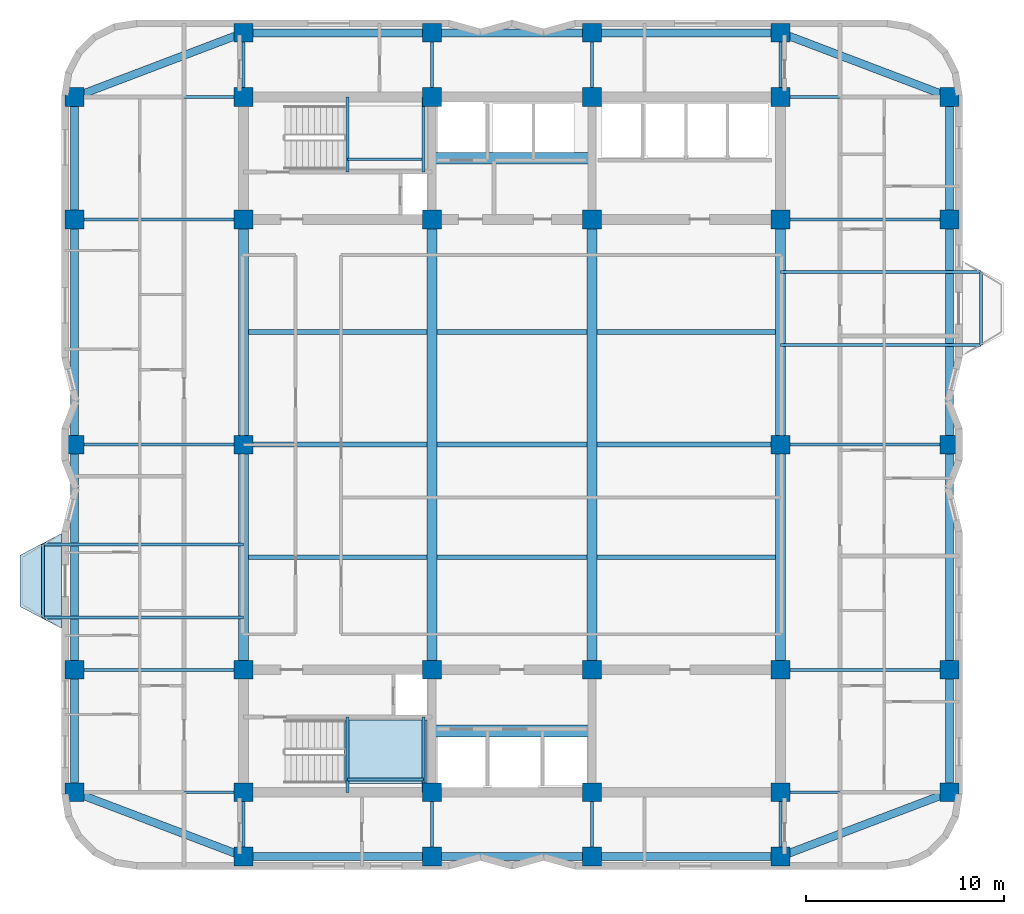
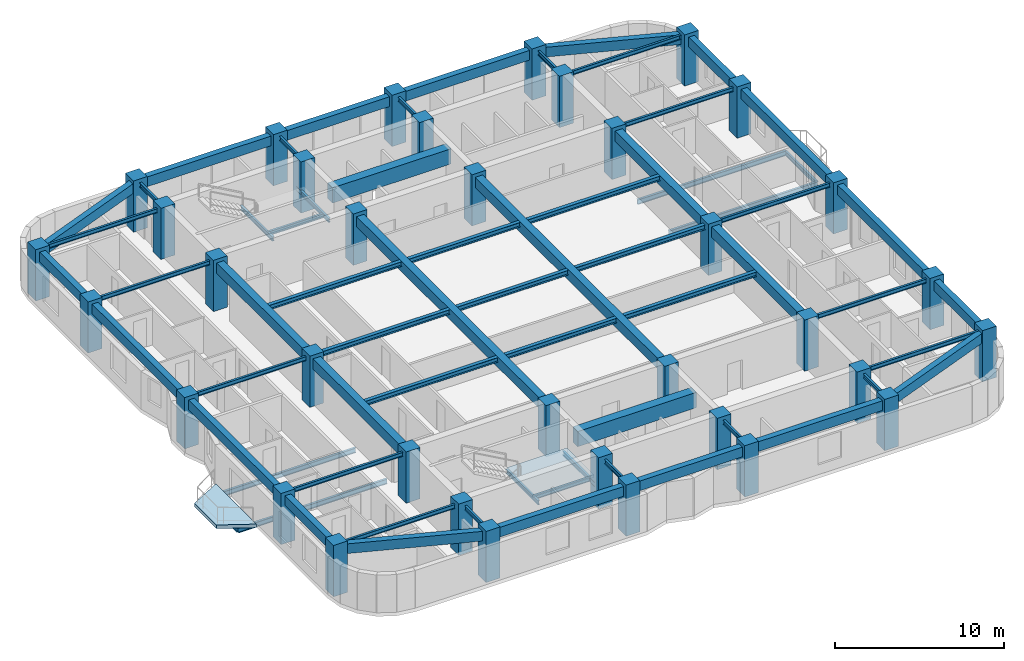
# One storey, part 1 of 8: 65 beams, 36 columns, 2 slabs, 1 element without a shape of its own.
"""IFC4 building model written with IfcOpenShell, lengths in metres."""

from ifc_helpers import new_model, si_unit, direction, frame, origin, origin_2d, place, context, subcontext, project, spatial, polyline, rectangle, i_section, outline, extrude, material, layer, layer_set, material_profile, profile_set, type_object, element, aggregate, save


model = new_model("IFC4")

# Units and contexts
model_context = context("Model", 3, precision=1e-05, world=origin(), true_north=direction((0.0, 1.0)))
body_context = subcontext(model_context, "Body", "Model", "MODEL_VIEW")
ifc_project = project(units=[si_unit("LENGTHUNIT", "METRE"), si_unit("AREAUNIT", "SQUARE_METRE"), si_unit("VOLUMEUNIT", "CUBIC_METRE"), si_unit("PLANEANGLEUNIT", "RADIAN"), si_unit("MASSUNIT", "GRAM", prefix="KILO")], contexts=[model_context])

# Site, building, storey
site_placement = place(None, origin())
site = spatial("IfcSite", under=ifc_project, at=site_placement, CompositionType="ELEMENT")
building_placement = place(site_placement, origin())
building = spatial("IfcBuilding", under=site, at=building_placement, Name="Svetorya Sky Lyceum", CompositionType="ELEMENT")
storey_placement = place(building_placement, frame((0.0, 0.0, 147.800048828125)))
storey = spatial("IfcBuildingStorey", under=building, at=storey_placement, Name="L36", CompositionType="ELEMENT", Elevation=147.800048828125)

# Columns
ifc_material_1 = material(Name="Concrete C50/60", Category="concrete")
ifc_material_profile_1 = material_profile(ifc_material_1, rectangle(XDim=0.949951171875, YDim=0.949951171875, at=origin_2d()), Name="RC COL 950x950")
ifc_profile_set_1 = profile_set([ifc_material_profile_1], Name="Concrete C50/60")
column_type = type_object("IfcColumnType", Name="COL-RC-950", PredefinedType="COLUMN", material=ifc_profile_set_1)
for number, where, z_axis, x_axis, name in (
    (1, (25.60009765625, 10.60009765625, 0.0), (0.0, 0.0, 1.0), (1.0, 0.0, 0.0), "L36 Core Column CS-11"),
    (2, (25.60009765625, 16.800048828125, 0.0), (0.0, 0.0, 1.0), (1.0, 0.0, 0.0), "L36 Core Column CS-12"),
    (3, (35.14990234375, 10.60009765625, 0.0), (0.0, 0.0, 1.0), (1.0, 0.0, 0.0), "L36 Core Column CS-21"),
    (4, (35.14990234375, 16.800048828125, 0.0), (0.0, 0.0, 1.0), (1.0, 0.0, 0.0), "L36 Core Column CS-22"),
    (5, (43.25, 10.60009765625, 0.0), (0.0, 0.0, 1.0), (1.0, 0.0, 0.0), "L36 Core Column CS-31"),
    (6, (43.25, 16.800048828125, 0.0), (0.0, 0.0, 1.0), (1.0, 0.0, 0.0), "L36 Core Column CS-32"),
    (7, (52.800048828125, 10.60009765625, 0.0), (0.0, 0.0, 1.0), (1.0, 0.0, 0.0), "L36 Core Column CS-41"),
    (8, (52.800048828125, 16.800048828125, 0.0), (0.0, 0.0, 1.0), (1.0, 0.0, 0.0), "L36 Core Column CS-42"),
    (9, (25.60009765625, 39.60009765625, 0.0), (0.0, 0.0, 1.0), (1.0, 0.0, 0.0), "L36 Core Column CN-11"),
    (10, (25.60009765625, 45.800048828125, 0.0), (0.0, 0.0, 1.0), (1.0, 0.0, 0.0), "L36 Core Column CN-12"),
    (11, (35.14990234375, 39.60009765625, 0.0), (0.0, 0.0, 1.0), (1.0, 0.0, 0.0), "L36 Core Column CN-21"),
    (12, (35.14990234375, 45.800048828125, 0.0), (0.0, 0.0, 1.0), (1.0, 0.0, 0.0), "L36 Core Column CN-22"),
    (13, (43.25, 39.60009765625, 0.0), (0.0, 0.0, 1.0), (1.0, 0.0, 0.0), "L36 Core Column CN-31"),
    (14, (43.25, 45.800048828125, 0.0), (0.0, 0.0, 1.0), (1.0, 0.0, 0.0), "L36 Core Column CN-32"),
    (15, (52.800048828125, 39.60009765625, 0.0), (0.0, 0.0, 1.0), (1.0, 0.0, 0.0), "L36 Core Column CN-41"),
    (16, (52.800048828125, 45.800048828125, 0.0), (0.0, 0.0, 1.0), (1.0, 0.0, 0.0), "L36 Core Column CN-42"),
    (17, (25.60009765625, 28.199951171875, 0.0), (0.0, 0.0, 1.0), (1.0, 0.0, 0.0), "L36 Core Column CM-W"),
    (18, (52.800048828125, 28.199951171875, 0.0), (0.0, 0.0, 1.0), (1.0, 0.0, 0.0), "L36 Core Column CM-E"),
    (19, (25.60009765625, 7.35009765625, 0.0), (0.0, 0.0, 1.0), (1.0, 0.0, 0.0), "L36 Perimeter Column S1"),
    (20, (25.60009765625, 49.050048828125, 0.0), (0.0, 0.0, 1.0), (1.0, 0.0, 0.0), "L36 Perimeter Column N1"),
    (21, (35.14990234375, 7.35009765625, 0.0), (0.0, 0.0, 1.0), (1.0, 0.0, 0.0), "L36 Perimeter Column S2"),
    (22, (35.14990234375, 49.050048828125, 0.0), (0.0, 0.0, 1.0), (1.0, 0.0, 0.0), "L36 Perimeter Column N2"),
    (23, (43.25, 7.35009765625, 0.0), (0.0, 0.0, 1.0), (1.0, 0.0, 0.0), "L36 Perimeter Column S3"),
    (24, (43.25, 49.050048828125, 0.0), (0.0, 0.0, 1.0), (1.0, 0.0, 0.0), "L36 Perimeter Column N3"),
    (25, (52.800048828125, 7.35009765625, 0.0), (0.0, 0.0, 1.0), (1.0, 0.0, 0.0), "L36 Perimeter Column S4"),
    (26, (52.800048828125, 49.050048828125, 0.0), (0.0, 0.0, 1.0), (1.0, 0.0, 0.0), "L36 Perimeter Column N4"),
    (27, (17.050048828125, 10.60009765625, 0.0), (0.0, 0.0, 1.0), (1.0, 0.0, 0.0), "L36 Perimeter Column W1"),
    (28, (61.35009765625, 10.60009765625, 0.0), (0.0, 0.0, 1.0), (1.0, 0.0, 0.0), "L36 Perimeter Column E1"),
    (29, (17.050048828125, 16.800048828125, 0.0), (0.0, 0.0, 1.0), (1.0, 0.0, 0.0), "L36 Perimeter Column W2"),
    (30, (61.35009765625, 16.800048828125, 0.0), (0.0, 0.0, 1.0), (1.0, 0.0, 0.0), "L36 Perimeter Column E2"),
    (31, (17.050048828125, 28.199951171875, 0.0), (0.0, 0.0, 1.0), (1.0, 0.0, 0.0), "L36 Perimeter Column W3"),
    (32, (61.35009765625, 28.199951171875, 0.0), (0.0, 0.0, 1.0), (1.0, 0.0, 0.0), "L36 Perimeter Column E3"),
    (33, (17.050048828125, 39.60009765625, 0.0), (0.0, 0.0, 1.0), (1.0, 0.0, 0.0), "L36 Perimeter Column W4"),
    (34, (61.35009765625, 39.60009765625, 0.0), (0.0, 0.0, 1.0), (1.0, 0.0, 0.0), "L36 Perimeter Column E4"),
    (35, (17.050048828125, 45.800048828125, 0.0), (0.0, 0.0, 1.0), (1.0, 0.0, 0.0), "L36 Perimeter Column W5"),
    (36, (61.35009765625, 45.800048828125, 0.0), (0.0, 0.0, 1.0), (1.0, 0.0, 0.0), "L36 Perimeter Column E5"),
):
    element("IfcColumn", number, at=place(storey_placement, frame(where, z_axis=z_axis, x_axis=x_axis)), inside=storey, type_object=column_type, Name=name, PredefinedType="COLUMN", context=body_context, shape_type="SweptSolid", body=[
        extrude(rectangle(XDim=0.949951171875, YDim=0.949951171875, at=origin_2d()), origin(), (0.0, 0.0, 1.0), 3.699951171875),
    ])

# Beams
ifc_material_2 = material(Name="Concrete C60/75", Category="concrete")
ifc_material_profile_2 = material_profile(ifc_material_2, rectangle(XDim=0.60009765625, YDim=1.10009765625, at=origin_2d()), Name="RC COUPLING 600x1100")
ifc_profile_set_2 = profile_set([ifc_material_profile_2], Name="Concrete C60/75")
beam_type_1 = type_object("IfcBeamType", Name="BM-CPL-1100", PredefinedType="LINTEL", material=ifc_profile_set_2)
for number, where, z_axis, x_axis, name in (
    (37, (35.14990234375, 13.699951171875, 2.889892578125), (1.0, 0.0, 0.0), (0.0, 1.0, 0.0), "L36 SC Core Coupling Beam"),
    (38, (35.14990234375, 42.699951171875, 2.889892578125), (1.0, 0.0, 0.0), (0.0, 1.0, 0.0), "L36 NC Core Coupling Beam"),
):
    element("IfcBeam", number, at=place(storey_placement, frame(where, z_axis=z_axis, x_axis=x_axis)), inside=storey, type_object=beam_type_1, Name=name, PredefinedType="LINTEL", context=body_context, shape_type="SweptSolid", body=[
        extrude(rectangle(XDim=0.60009765625, YDim=1.10009765625, at=origin_2d()), origin(), (0.0, 0.0, 1.0), 8.10009765625),
    ])
ifc_material_profile_3 = material_profile(ifc_material_1, rectangle(XDim=0.5, YDim=0.75, at=origin_2d()), Name="RC BEAM 500x750")
ifc_profile_set_3 = profile_set([ifc_material_profile_3], Name="Concrete C50/60")
beam_type_2 = type_object("IfcBeamType", Name="BM-RC-750", PredefinedType="BEAM", material=ifc_profile_set_3)
beam_1_placement = place(storey_placement, frame((25.60009765625, 16.800048828125, 3.06494140625), z_axis=(0.0, 1.0, 0.0), x_axis=(-1.0, 0.0, 0.0)))
element("IfcBeam", 39, at=beam_1_placement, inside=storey, type_object=beam_type_2, Name="L36 Central Bay Primary Girder CG-1A", PredefinedType="BEAM", context=body_context, shape_type="SweptSolid", body=[
    extrude(rectangle(XDim=0.5, YDim=0.75, at=origin_2d()), origin(), (0.0, 0.0, 1.0), 11.39990234375),
])
beam_2_placement = place(storey_placement, frame((25.60009765625, 28.199951171875, 3.06494140625), z_axis=(0.0, 1.0, 0.0), x_axis=(-1.0, 0.0, 0.0)))
element("IfcBeam", 40, at=beam_2_placement, inside=storey, type_object=beam_type_2, Name="L36 Central Bay Primary Girder CG-1B", PredefinedType="BEAM", context=body_context, shape_type="SweptSolid", body=[
    extrude(rectangle(XDim=0.5, YDim=0.75, at=origin_2d()), origin(), (0.0, 0.0, 1.0), 11.400146484375),
])
for number, where, z_axis, x_axis, name in (
    (41, (35.14990234375, 16.800048828125, 3.06494140625), (0.0, 1.0, 0.0), (-1.0, 0.0, 0.0), "L36 Central Bay Primary Girder CG-2"),
    (42, (43.25, 16.800048828125, 3.06494140625), (0.0, 1.0, 0.0), (-1.0, 0.0, 0.0), "L36 Central Bay Primary Girder CG-3"),
):
    element("IfcBeam", number, at=place(storey_placement, frame(where, z_axis=z_axis, x_axis=x_axis)), inside=storey, type_object=beam_type_2, Name=name, PredefinedType="BEAM", context=body_context, shape_type="SweptSolid", body=[
        extrude(rectangle(XDim=0.5, YDim=0.75, at=origin_2d()), origin(), (0.0, 0.0, 1.0), 22.800048828125),
    ])
beam_3_placement = place(storey_placement, frame((52.800048828125, 16.800048828125, 3.06494140625), z_axis=(0.0, 1.0, 0.0), x_axis=(-1.0, 0.0, 0.0)))
element("IfcBeam", 43, at=beam_3_placement, inside=storey, type_object=beam_type_2, Name="L36 Central Bay Primary Girder CG-4A", PredefinedType="BEAM", context=body_context, shape_type="SweptSolid", body=[
    extrude(rectangle(XDim=0.5, YDim=0.75, at=origin_2d()), origin(), (0.0, 0.0, 1.0), 11.39990234375),
])
beam_4_placement = place(storey_placement, frame((52.800048828125, 28.199951171875, 3.06494140625), z_axis=(0.0, 1.0, 0.0), x_axis=(-1.0, 0.0, 0.0)))
element("IfcBeam", 44, at=beam_4_placement, inside=storey, type_object=beam_type_2, Name="L36 Central Bay Primary Girder CG-4B", PredefinedType="BEAM", context=body_context, shape_type="SweptSolid", body=[
    extrude(rectangle(XDim=0.5, YDim=0.75, at=origin_2d()), origin(), (0.0, 0.0, 1.0), 11.400146484375),
])
ifc_material_profile_4 = material_profile(ifc_material_1, rectangle(XDim=0.39990234375, YDim=0.699951171875, at=origin_2d()), Name="RC SPANDREL 400x700")
ifc_profile_set_4 = profile_set([ifc_material_profile_4], Name="Concrete C50/60")
beam_type_3 = type_object("IfcBeamType", Name="BM-SPN-700", PredefinedType="SPANDREL", material=ifc_profile_set_4)
beam_5_placement = place(storey_placement, frame((25.60009765625, 7.35009765625, 3.08984375), z_axis=(1.0, 0.0, 0.0), x_axis=(0.0, 1.0, 0.0)))
element("IfcBeam", 45, at=beam_5_placement, inside=storey, type_object=beam_type_3, Name="L36 South Spandrel 1", PredefinedType="SPANDREL", context=body_context, shape_type="SweptSolid", body=[
    extrude(rectangle(XDim=0.39990234375, YDim=0.699951171875, at=origin_2d()), origin(), (0.0, 0.0, 1.0), 9.5498046875),
])
beam_6_placement = place(storey_placement, frame((35.14990234375, 7.35009765625, 3.08984375), z_axis=(1.0, 0.0, 0.0), x_axis=(0.0, 1.0, 0.0)))
element("IfcBeam", 46, at=beam_6_placement, inside=storey, type_object=beam_type_3, Name="L36 South Spandrel 2", PredefinedType="SPANDREL", context=body_context, shape_type="SweptSolid", body=[
    extrude(rectangle(XDim=0.39990234375, YDim=0.699951171875, at=origin_2d()), origin(), (0.0, 0.0, 1.0), 8.10009765625),
])
beam_7_placement = place(storey_placement, frame((43.25, 7.35009765625, 3.08984375), z_axis=(1.0, 0.0, 0.0), x_axis=(0.0, 1.0, 0.0)))
element("IfcBeam", 47, at=beam_7_placement, inside=storey, type_object=beam_type_3, Name="L36 South Spandrel 3", PredefinedType="SPANDREL", context=body_context, shape_type="SweptSolid", body=[
    extrude(rectangle(XDim=0.39990234375, YDim=0.699951171875, at=origin_2d()), origin(), (0.0, 0.0, 1.0), 9.550048828125),
])
beam_8_placement = place(storey_placement, frame((25.60009765625, 49.050048828125, 3.08984375), z_axis=(1.0, 0.0, 0.0), x_axis=(0.0, 1.0, 0.0)))
element("IfcBeam", 48, at=beam_8_placement, inside=storey, type_object=beam_type_3, Name="L36 North Spandrel 1", PredefinedType="SPANDREL", context=body_context, shape_type="SweptSolid", body=[
    extrude(rectangle(XDim=0.39990234375, YDim=0.699951171875, at=origin_2d()), origin(), (0.0, 0.0, 1.0), 9.5498046875),
])
beam_9_placement = place(storey_placement, frame((35.14990234375, 49.050048828125, 3.08984375), z_axis=(1.0, 0.0, 0.0), x_axis=(0.0, 1.0, 0.0)))
element("IfcBeam", 49, at=beam_9_placement, inside=storey, type_object=beam_type_3, Name="L36 North Spandrel 2", PredefinedType="SPANDREL", context=body_context, shape_type="SweptSolid", body=[
    extrude(rectangle(XDim=0.39990234375, YDim=0.699951171875, at=origin_2d()), origin(), (0.0, 0.0, 1.0), 8.10009765625),
])
beam_10_placement = place(storey_placement, frame((43.25, 49.050048828125, 3.08984375), z_axis=(1.0, 0.0, 0.0), x_axis=(0.0, 1.0, 0.0)))
element("IfcBeam", 50, at=beam_10_placement, inside=storey, type_object=beam_type_3, Name="L36 North Spandrel 3", PredefinedType="SPANDREL", context=body_context, shape_type="SweptSolid", body=[
    extrude(rectangle(XDim=0.39990234375, YDim=0.699951171875, at=origin_2d()), origin(), (0.0, 0.0, 1.0), 9.550048828125),
])
for number, where, z_axis, x_axis, name in (
    (51, (25.60009765625, 7.35009765625, 3.08984375), (-0.934747947367, 0.355311518099, 0.0), (-0.355311518099, -0.934747947367, 0.0), "L36 Corner Spandrel 1"),
    (52, (52.800048828125, 7.35009765625, 3.08984375), (0.934747947367, 0.355311518099, 0.0), (-0.355311518099, 0.934747947367, 0.0), "L36 Corner Spandrel 2"),
    (53, (61.35009765625, 45.800048828125, 3.08984375), (-0.934747947367, 0.355311518099, 0.0), (-0.355311518099, -0.934747947367, 0.0), "L36 Corner Spandrel 3"),
    (54, (17.050048828125, 45.800048828125, 3.08984375), (0.934747947367, 0.355311518099, 0.0), (-0.355311518099, 0.934747947367, 0.0), "L36 Corner Spandrel 4"),
):
    element("IfcBeam", number, at=place(storey_placement, frame(where, z_axis=z_axis, x_axis=x_axis)), inside=storey, type_object=beam_type_3, Name=name, PredefinedType="SPANDREL", context=body_context, shape_type="SweptSolid", body=[
        extrude(rectangle(XDim=0.39990234375, YDim=0.699951171875, at=origin_2d()), origin(), (0.0, 0.0, 1.0), 9.14697265625),
    ])
beam_11_placement = place(storey_placement, frame((17.050048828125, 10.60009765625, 3.08984375), z_axis=(0.0, 1.0, 0.0), x_axis=(-1.0, 0.0, 0.0)))
element("IfcBeam", 55, at=beam_11_placement, inside=storey, type_object=beam_type_3, Name="L36 West Spandrel 1", PredefinedType="SPANDREL", context=body_context, shape_type="SweptSolid", body=[
    extrude(rectangle(XDim=0.39990234375, YDim=0.699951171875, at=origin_2d()), origin(), (0.0, 0.0, 1.0), 6.199951171875),
])
beam_12_placement = place(storey_placement, frame((17.050048828125, 16.800048828125, 3.08984375), z_axis=(0.0, 1.0, 0.0), x_axis=(-1.0, 0.0, 0.0)))
element("IfcBeam", 56, at=beam_12_placement, inside=storey, type_object=beam_type_3, Name="L36 West Spandrel 2", PredefinedType="SPANDREL", context=body_context, shape_type="SweptSolid", body=[
    extrude(rectangle(XDim=0.39990234375, YDim=0.699951171875, at=origin_2d()), origin(), (0.0, 0.0, 1.0), 11.39990234375),
])
beam_13_placement = place(storey_placement, frame((17.050048828125, 28.199951171875, 3.08984375), z_axis=(0.0, 1.0, 0.0), x_axis=(-1.0, 0.0, 0.0)))
element("IfcBeam", 57, at=beam_13_placement, inside=storey, type_object=beam_type_3, Name="L36 West Spandrel 3", PredefinedType="SPANDREL", context=body_context, shape_type="SweptSolid", body=[
    extrude(rectangle(XDim=0.39990234375, YDim=0.699951171875, at=origin_2d()), origin(), (0.0, 0.0, 1.0), 11.400146484375),
])
for number, where, z_axis, x_axis, name in (
    (58, (17.050048828125, 39.60009765625, 3.08984375), (0.0, 1.0, 0.0), (-1.0, 0.0, 0.0), "L36 West Spandrel 4"),
    (59, (61.35009765625, 10.60009765625, 3.08984375), (0.0, 1.0, 0.0), (-1.0, 0.0, 0.0), "L36 East Spandrel 1"),
):
    element("IfcBeam", number, at=place(storey_placement, frame(where, z_axis=z_axis, x_axis=x_axis)), inside=storey, type_object=beam_type_3, Name=name, PredefinedType="SPANDREL", context=body_context, shape_type="SweptSolid", body=[
        extrude(rectangle(XDim=0.39990234375, YDim=0.699951171875, at=origin_2d()), origin(), (0.0, 0.0, 1.0), 6.199951171875),
    ])
beam_14_placement = place(storey_placement, frame((61.35009765625, 16.800048828125, 3.08984375), z_axis=(0.0, 1.0, 0.0), x_axis=(-1.0, 0.0, 0.0)))
element("IfcBeam", 60, at=beam_14_placement, inside=storey, type_object=beam_type_3, Name="L36 East Spandrel 2", PredefinedType="SPANDREL", context=body_context, shape_type="SweptSolid", body=[
    extrude(rectangle(XDim=0.39990234375, YDim=0.699951171875, at=origin_2d()), origin(), (0.0, 0.0, 1.0), 11.39990234375),
])
beam_15_placement = place(storey_placement, frame((61.35009765625, 28.199951171875, 3.08984375), z_axis=(0.0, 1.0, 0.0), x_axis=(-1.0, 0.0, 0.0)))
element("IfcBeam", 61, at=beam_15_placement, inside=storey, type_object=beam_type_3, Name="L36 East Spandrel 3", PredefinedType="SPANDREL", context=body_context, shape_type="SweptSolid", body=[
    extrude(rectangle(XDim=0.39990234375, YDim=0.699951171875, at=origin_2d()), origin(), (0.0, 0.0, 1.0), 11.400146484375),
])
beam_16_placement = place(storey_placement, frame((61.35009765625, 39.60009765625, 3.08984375), z_axis=(0.0, 1.0, 0.0), x_axis=(-1.0, 0.0, 0.0)))
element("IfcBeam", 62, at=beam_16_placement, inside=storey, type_object=beam_type_3, Name="L36 East Spandrel 4", PredefinedType="SPANDREL", context=body_context, shape_type="SweptSolid", body=[
    extrude(rectangle(XDim=0.39990234375, YDim=0.699951171875, at=origin_2d()), origin(), (0.0, 0.0, 1.0), 6.199951171875),
])
ifc_material_3 = material(Name="Steel S355", Category="steel")
ifc_material_profile_5 = material_profile(ifc_material_3, i_section(OverallWidth=0.14990234375, OverallDepth=0.299072265625, WebThickness=0.006591796875, FlangeThickness=0.010498046875, at=origin_2d()), Name="GOST 30B2")
ifc_profile_set_5 = profile_set([ifc_material_profile_5], Name="Steel S355")
beam_type_4 = type_object("IfcBeamType", Name="BM-STL-30B2", PredefinedType="JOIST", material=ifc_profile_set_5)
for number, where, z_axis, x_axis, name in (
    (63, (15.449951171875, 19.449951171875, -0.4345703125), (0.0, 1.0, 0.0), (-1.0, 0.0, 0.0), "L36 Balcony Edge Tie BAL-W1"),
    (64, (62.949951171875, 33.25, -0.4345703125), (0.0, 1.0, 0.0), (-1.0, 0.0, 0.0), "L36 Balcony Edge Tie BAL-E1"),
):
    element("IfcBeam", number, at=place(storey_placement, frame(where, z_axis=z_axis, x_axis=x_axis)), inside=storey, type_object=beam_type_4, Name=name, PredefinedType="JOIST", context=body_context, shape_type="SweptSolid", body=[
        extrude(i_section(OverallWidth=0.14990234375, OverallDepth=0.299072265625, WebThickness=0.006591796875, FlangeThickness=0.010498046875, at=origin_2d()), origin(), (0.0, 0.0, 1.0), 3.699951171875),
    ])
for number, where, z_axis, x_axis, name in (
    (65, (17.050048828125, 10.60009765625, 3.29052734375), (1.0, 0.0, 0.0), (0.0, 1.0, 0.0), "L36 West Wing Floor Joist W1"),
    (66, (52.800048828125, 10.60009765625, 3.29052734375), (1.0, 0.0, 0.0), (0.0, 1.0, 0.0), "L36 East Wing Floor Joist E1"),
    (67, (17.050048828125, 16.800048828125, 3.29052734375), (1.0, 0.0, 0.0), (0.0, 1.0, 0.0), "L36 West Wing Floor Joist W2"),
    (68, (52.800048828125, 16.800048828125, 3.29052734375), (1.0, 0.0, 0.0), (0.0, 1.0, 0.0), "L36 East Wing Floor Joist E2"),
    (69, (17.050048828125, 28.199951171875, 3.29052734375), (1.0, 0.0, 0.0), (0.0, 1.0, 0.0), "L36 West Wing Floor Joist W3"),
    (70, (52.800048828125, 28.199951171875, 3.29052734375), (1.0, 0.0, 0.0), (0.0, 1.0, 0.0), "L36 East Wing Floor Joist E3"),
    (71, (17.050048828125, 39.60009765625, 3.29052734375), (1.0, 0.0, 0.0), (0.0, 1.0, 0.0), "L36 West Wing Floor Joist W4"),
    (72, (52.800048828125, 39.60009765625, 3.29052734375), (1.0, 0.0, 0.0), (0.0, 1.0, 0.0), "L36 East Wing Floor Joist E4"),
    (73, (17.050048828125, 45.800048828125, 3.29052734375), (1.0, 0.0, 0.0), (0.0, 1.0, 0.0), "L36 West Wing Floor Joist W5"),
    (74, (52.800048828125, 45.800048828125, 3.29052734375), (1.0, 0.0, 0.0), (0.0, 1.0, 0.0), "L36 East Wing Floor Joist E5"),
):
    element("IfcBeam", number, at=place(storey_placement, frame(where, z_axis=z_axis, x_axis=x_axis)), inside=storey, type_object=beam_type_4, Name=name, PredefinedType="JOIST", context=body_context, shape_type="SweptSolid", body=[
        extrude(i_section(OverallWidth=0.14990234375, OverallDepth=0.299072265625, WebThickness=0.006591796875, FlangeThickness=0.010498046875, at=origin_2d()), origin(), (0.0, 0.0, 1.0), 8.550048828125),
    ])
for number, where, z_axis, x_axis, name in (
    (75, (25.60009765625, 7.35009765625, 3.29052734375), (0.0, 1.0, 0.0), (-1.0, 0.0, 0.0), "L36 South Bay Floor Girder S1"),
    (76, (25.60009765625, 45.800048828125, 3.29052734375), (0.0, 1.0, 0.0), (-1.0, 0.0, 0.0), "L36 North Bay Floor Girder N1"),
    (77, (35.14990234375, 7.35009765625, 3.29052734375), (0.0, 1.0, 0.0), (-1.0, 0.0, 0.0), "L36 South Bay Floor Girder S2"),
    (78, (35.14990234375, 45.800048828125, 3.29052734375), (0.0, 1.0, 0.0), (-1.0, 0.0, 0.0), "L36 North Bay Floor Girder N2"),
    (79, (43.25, 7.35009765625, 3.29052734375), (0.0, 1.0, 0.0), (-1.0, 0.0, 0.0), "L36 South Bay Floor Girder S3"),
    (80, (43.25, 45.800048828125, 3.29052734375), (0.0, 1.0, 0.0), (-1.0, 0.0, 0.0), "L36 North Bay Floor Girder N3"),
    (81, (52.800048828125, 7.35009765625, 3.29052734375), (0.0, 1.0, 0.0), (-1.0, 0.0, 0.0), "L36 South Bay Floor Girder S4"),
    (82, (52.800048828125, 45.800048828125, 3.29052734375), (0.0, 1.0, 0.0), (-1.0, 0.0, 0.0), "L36 North Bay Floor Girder N4"),
):
    element("IfcBeam", number, at=place(storey_placement, frame(where, z_axis=z_axis, x_axis=x_axis)), inside=storey, type_object=beam_type_4, Name=name, PredefinedType="JOIST", context=body_context, shape_type="SweptSolid", body=[
        extrude(i_section(OverallWidth=0.14990234375, OverallDepth=0.299072265625, WebThickness=0.006591796875, FlangeThickness=0.010498046875, at=origin_2d()), origin(), (0.0, 0.0, 1.0), 3.25),
    ])
for number, where, z_axis, x_axis, name in (
    (83, (30.8798828125, 10.60009765625, 1.50048828125), (0.0, 1.0, 0.0), (-1.0, 0.0, 0.0), "L36 Stair ST-S Half-Landing Support Beam 42.1"),
    (84, (34.719970703125, 10.60009765625, 1.50048828125), (0.0, 1.0, 0.0), (-1.0, 0.0, 0.0), "L36 Stair ST-S Half-Landing Support Beam 42.2"),
):
    element("IfcBeam", number, at=place(storey_placement, frame(where, z_axis=z_axis, x_axis=x_axis)), inside=storey, type_object=beam_type_4, Name=name, PredefinedType="JOIST", context=body_context, shape_type="SweptSolid", body=[
        extrude(i_section(OverallWidth=0.14990234375, OverallDepth=0.299072265625, WebThickness=0.006591796875, FlangeThickness=0.010498046875, at=origin_2d()), origin(), (0.0, 0.0, 1.0), 3.7998046875),
    ])
beam_17_placement = place(storey_placement, frame((30.8798828125, 11.25, 1.50048828125), z_axis=(1.0, 0.0, 0.0), x_axis=(0.0, 1.0, 0.0)))
element("IfcBeam", 85, at=beam_17_placement, inside=storey, type_object=beam_type_4, Name="L36 Stair ST-S Half-Landing Cross Tie 42", PredefinedType="JOIST", context=body_context, shape_type="SweptSolid", body=[
    extrude(i_section(OverallWidth=0.14990234375, OverallDepth=0.299072265625, WebThickness=0.006591796875, FlangeThickness=0.010498046875, at=origin_2d()), origin(), (0.0, 0.0, 1.0), 3.840087890625),
])
for number, where, z_axis, x_axis, name in (
    (86, (30.8798828125, 42.0, 1.50048828125), (0.0, 1.0, 0.0), (-1.0, 0.0, 0.0), "L36 Stair ST-N Half-Landing Support Beam 42.1"),
    (87, (34.719970703125, 42.0, 1.50048828125), (0.0, 1.0, 0.0), (-1.0, 0.0, 0.0), "L36 Stair ST-N Half-Landing Support Beam 42.2"),
):
    element("IfcBeam", number, at=place(storey_placement, frame(where, z_axis=z_axis, x_axis=x_axis)), inside=storey, type_object=beam_type_4, Name=name, PredefinedType="JOIST", context=body_context, shape_type="SweptSolid", body=[
        extrude(i_section(OverallWidth=0.14990234375, OverallDepth=0.299072265625, WebThickness=0.006591796875, FlangeThickness=0.010498046875, at=origin_2d()), origin(), (0.0, 0.0, 1.0), 3.800048828125),
    ])
beam_18_placement = place(storey_placement, frame((30.8798828125, 42.64990234375, 1.50048828125), z_axis=(1.0, 0.0, 0.0), x_axis=(0.0, 1.0, 0.0)))
element("IfcBeam", 88, at=beam_18_placement, inside=storey, type_object=beam_type_4, Name="L36 Stair ST-N Half-Landing Cross Tie 42", PredefinedType="JOIST", context=body_context, shape_type="SweptSolid", body=[
    extrude(i_section(OverallWidth=0.14990234375, OverallDepth=0.299072265625, WebThickness=0.006591796875, FlangeThickness=0.010498046875, at=origin_2d()), origin(), (0.0, 0.0, 1.0), 3.840087890625),
])
ifc_material_profile_6 = material_profile(ifc_material_3, i_section(OverallWidth=0.155029296875, OverallDepth=0.34912109375, WebThickness=0.007080078125, FlangeThickness=0.011474609375, at=origin_2d()), Name="GOST 35B2")
ifc_profile_set_6 = profile_set([ifc_material_profile_6], Name="Steel S355")
beam_type_5 = type_object("IfcBeamType", Name="BM-STL-35B2", PredefinedType="JOIST", material=ifc_profile_set_6)
for number, where, z_axis, x_axis, name in (
    (89, (25.60009765625, 19.449951171875, -0.4345703125), (-1.0, 0.0, 0.0), (0.0, -1.0, 0.0), "L36 Balcony Cantilever Beam BAL-W1-1"),
    (90, (25.60009765625, 23.14990234375, -0.4345703125), (-1.0, 0.0, 0.0), (0.0, -1.0, 0.0), "L36 Balcony Cantilever Beam BAL-W1-2"),
):
    element("IfcBeam", number, at=place(storey_placement, frame(where, z_axis=z_axis, x_axis=x_axis)), inside=storey, type_object=beam_type_5, Name=name, PredefinedType="JOIST", context=body_context, shape_type="SweptSolid", body=[
        extrude(i_section(OverallWidth=0.155029296875, OverallDepth=0.34912109375, WebThickness=0.007080078125, FlangeThickness=0.011474609375, at=origin_2d()), origin(), (0.0, 0.0, 1.0), 10.150146484375),
    ])
for number, where, z_axis, x_axis, name in (
    (91, (52.800048828125, 33.25, -0.4345703125), (1.0, 0.0, 0.0), (0.0, 1.0, 0.0), "L36 Balcony Cantilever Beam BAL-E1-1"),
    (92, (52.800048828125, 36.949951171875, -0.4345703125), (1.0, 0.0, 0.0), (0.0, 1.0, 0.0), "L36 Balcony Cantilever Beam BAL-E1-2"),
):
    element("IfcBeam", number, at=place(storey_placement, frame(where, z_axis=z_axis, x_axis=x_axis)), inside=storey, type_object=beam_type_5, Name=name, PredefinedType="JOIST", context=body_context, shape_type="SweptSolid", body=[
        extrude(i_section(OverallWidth=0.155029296875, OverallDepth=0.34912109375, WebThickness=0.007080078125, FlangeThickness=0.011474609375, at=origin_2d()), origin(), (0.0, 0.0, 1.0), 10.14990234375),
    ])
ifc_material_profile_7 = material_profile(ifc_material_3, i_section(OverallWidth=0.25, OverallDepth=0.345947265625, WebThickness=0.009521484375, FlangeThickness=0.014404296875, at=origin_2d()), Name="GOST 35Sh2")
ifc_profile_set_7 = profile_set([ifc_material_profile_7], Name="Steel S355")
beam_type_6 = type_object("IfcBeamType", Name="BM-STL-35SH2", PredefinedType="BEAM", material=ifc_profile_set_7)
beam_19_placement = place(storey_placement, frame((25.85009765625, 22.5, 3.266845703125), z_axis=(1.0, 0.0, 0.0), x_axis=(0.0, 1.0, 0.0)))
element("IfcBeam", 93, at=beam_19_placement, inside=storey, type_object=beam_type_6, Name="L36 Central Floor Joist CJ-1.1", PredefinedType="BEAM", context=body_context, shape_type="SweptSolid", body=[
    extrude(i_section(OverallWidth=0.25, OverallDepth=0.345947265625, WebThickness=0.009521484375, FlangeThickness=0.014404296875, at=origin_2d()), origin(), (0.0, 0.0, 1.0), 9.0498046875),
])
beam_20_placement = place(storey_placement, frame((35.39990234375, 22.5, 3.266845703125), z_axis=(1.0, 0.0, 0.0), x_axis=(0.0, 1.0, 0.0)))
element("IfcBeam", 94, at=beam_20_placement, inside=storey, type_object=beam_type_6, Name="L36 Central Floor Joist CJ-1.2", PredefinedType="BEAM", context=body_context, shape_type="SweptSolid", body=[
    extrude(i_section(OverallWidth=0.25, OverallDepth=0.345947265625, WebThickness=0.009521484375, FlangeThickness=0.014404296875, at=origin_2d()), origin(), (0.0, 0.0, 1.0), 7.60009765625),
])
beam_21_placement = place(storey_placement, frame((43.5, 22.5, 3.266845703125), z_axis=(1.0, 0.0, 0.0), x_axis=(0.0, 1.0, 0.0)))
element("IfcBeam", 95, at=beam_21_placement, inside=storey, type_object=beam_type_6, Name="L36 Central Floor Joist CJ-1.3", PredefinedType="BEAM", context=body_context, shape_type="SweptSolid", body=[
    extrude(i_section(OverallWidth=0.25, OverallDepth=0.345947265625, WebThickness=0.009521484375, FlangeThickness=0.014404296875, at=origin_2d()), origin(), (0.0, 0.0, 1.0), 9.050048828125),
])
beam_22_placement = place(storey_placement, frame((25.85009765625, 28.199951171875, 3.266845703125), z_axis=(1.0, 0.0, 0.0), x_axis=(0.0, 1.0, 0.0)))
element("IfcBeam", 96, at=beam_22_placement, inside=storey, type_object=beam_type_6, Name="L36 Central Floor Joist CJ-2.1", PredefinedType="BEAM", context=body_context, shape_type="SweptSolid", body=[
    extrude(i_section(OverallWidth=0.25, OverallDepth=0.345947265625, WebThickness=0.009521484375, FlangeThickness=0.014404296875, at=origin_2d()), origin(), (0.0, 0.0, 1.0), 9.0498046875),
])
beam_23_placement = place(storey_placement, frame((35.39990234375, 28.199951171875, 3.266845703125), z_axis=(1.0, 0.0, 0.0), x_axis=(0.0, 1.0, 0.0)))
element("IfcBeam", 97, at=beam_23_placement, inside=storey, type_object=beam_type_6, Name="L36 Central Floor Joist CJ-2.2", PredefinedType="BEAM", context=body_context, shape_type="SweptSolid", body=[
    extrude(i_section(OverallWidth=0.25, OverallDepth=0.345947265625, WebThickness=0.009521484375, FlangeThickness=0.014404296875, at=origin_2d()), origin(), (0.0, 0.0, 1.0), 7.60009765625),
])
beam_24_placement = place(storey_placement, frame((43.5, 28.199951171875, 3.266845703125), z_axis=(1.0, 0.0, 0.0), x_axis=(0.0, 1.0, 0.0)))
element("IfcBeam", 98, at=beam_24_placement, inside=storey, type_object=beam_type_6, Name="L36 Central Floor Joist CJ-2.3", PredefinedType="BEAM", context=body_context, shape_type="SweptSolid", body=[
    extrude(i_section(OverallWidth=0.25, OverallDepth=0.345947265625, WebThickness=0.009521484375, FlangeThickness=0.014404296875, at=origin_2d()), origin(), (0.0, 0.0, 1.0), 9.050048828125),
])
beam_25_placement = place(storey_placement, frame((25.85009765625, 33.89990234375, 3.266845703125), z_axis=(1.0, 0.0, 0.0), x_axis=(0.0, 1.0, 0.0)))
element("IfcBeam", 99, at=beam_25_placement, inside=storey, type_object=beam_type_6, Name="L36 Central Floor Joist CJ-3.1", PredefinedType="BEAM", context=body_context, shape_type="SweptSolid", body=[
    extrude(i_section(OverallWidth=0.25, OverallDepth=0.345947265625, WebThickness=0.009521484375, FlangeThickness=0.014404296875, at=origin_2d()), origin(), (0.0, 0.0, 1.0), 9.0498046875),
])
beam_26_placement = place(storey_placement, frame((35.39990234375, 33.89990234375, 3.266845703125), z_axis=(1.0, 0.0, 0.0), x_axis=(0.0, 1.0, 0.0)))
element("IfcBeam", 100, at=beam_26_placement, inside=storey, type_object=beam_type_6, Name="L36 Central Floor Joist CJ-3.2", PredefinedType="BEAM", context=body_context, shape_type="SweptSolid", body=[
    extrude(i_section(OverallWidth=0.25, OverallDepth=0.345947265625, WebThickness=0.009521484375, FlangeThickness=0.014404296875, at=origin_2d()), origin(), (0.0, 0.0, 1.0), 7.60009765625),
])
beam_27_placement = place(storey_placement, frame((43.5, 33.89990234375, 3.266845703125), z_axis=(1.0, 0.0, 0.0), x_axis=(0.0, 1.0, 0.0)))
element("IfcBeam", 101, at=beam_27_placement, inside=storey, type_object=beam_type_6, Name="L36 Central Floor Joist CJ-3.3", PredefinedType="BEAM", context=body_context, shape_type="SweptSolid", body=[
    extrude(i_section(OverallWidth=0.25, OverallDepth=0.345947265625, WebThickness=0.009521484375, FlangeThickness=0.014404296875, at=origin_2d()), origin(), (0.0, 0.0, 1.0), 9.050048828125),
])

# Slab
ifc_material_4 = material(Name="Concrete C40/50", Category="concrete")
ifc_layer_1 = layer(ifc_material_4, 0.260009765625)
ifc_layer_set_1 = layer_set([ifc_layer_1], Name="Concrete C40/50")
slab_type_1 = type_object("IfcSlabType", Name="SL-BAL-260", PredefinedType="FLOOR", material=ifc_layer_set_1)
slab_1_placement = place(storey_placement, frame((0.0, 0.0, -0.260009765625)))
element("IfcSlab", 102, at=slab_1_placement, inside=storey, type_object=slab_type_1, Name="L36 Chamfered Loggia Balcony BAL-W1", PredefinedType="FLOOR", context=body_context, shape_type="SweptSolid", body=[
    extrude(outline(polyline([(16.389892578125, 18.89990234375), (16.389892578125, 23.699951171875), (14.2900390625, 22.60009765625), (14.2900390625, 20.0), (16.389892578125, 18.89990234375)])), origin(), (0.0, 0.0, 1.0), 0.260009765625),
])

# Stair, slab
stair_type = type_object("IfcStairType", Name="STR-ST-S", PredefinedType="HALF_TURN_STAIR", material=ifc_material_4)
stair_placement = place(storey_placement, origin())
stair = element("IfcStair", 103, at=stair_placement, inside=storey, type_object=stair_type, Name="L36 South Core Smoke-Free Exit Stair N2", PredefinedType="HALF_TURN_STAIR")
ifc_layer_2 = layer(ifc_material_4, 0.199951171875)
ifc_layer_set_2 = layer_set([ifc_layer_2], Name="Concrete C40/50")
slab_type_2 = type_object("IfcSlabType", Name="SL-STR-LAND-200", PredefinedType="LANDING", material=ifc_layer_set_2)
slab_2_placement = place(storey_placement, frame((0.0, 0.0, 1.64990234375)))
slab_2 = element("IfcSlab", 104, at=slab_2_placement, type_object=slab_type_2, Name="ST-S landing 1", PredefinedType="LANDING", context=body_context, shape_type="SweptSolid", body=[
    extrude(outline(polyline([(30.699951171875, 11.050048828125), (34.89990234375, 11.050048828125), (34.89990234375, 14.25), (30.699951171875, 14.25), (30.699951171875, 11.050048828125)])), origin(), (0.0, 0.0, 1.0), 0.199951171875),
])
aggregate(stair, [slab_2])

save(model, "model.ifc")
